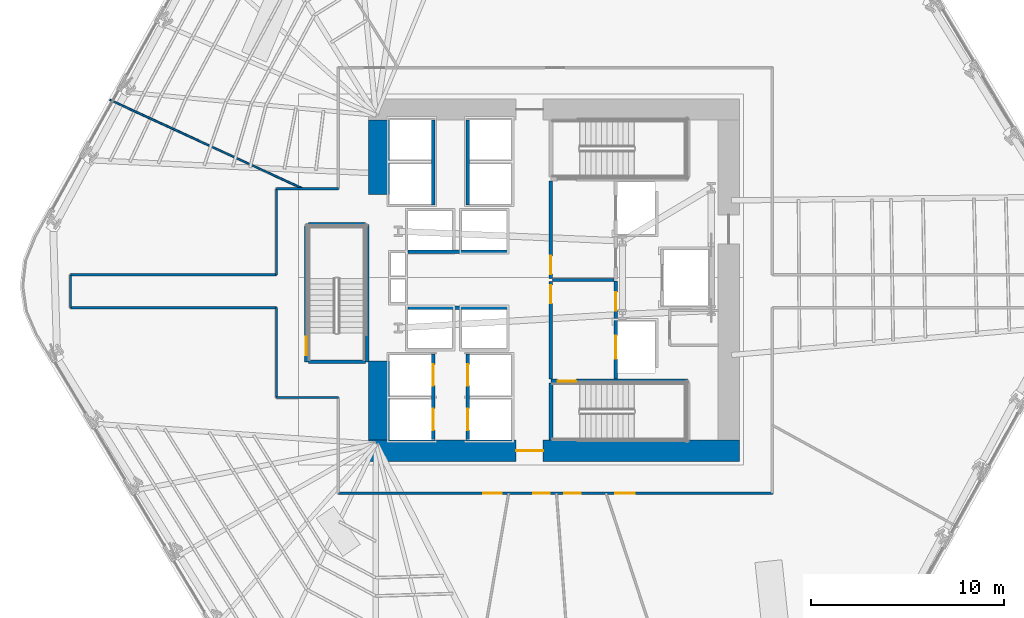
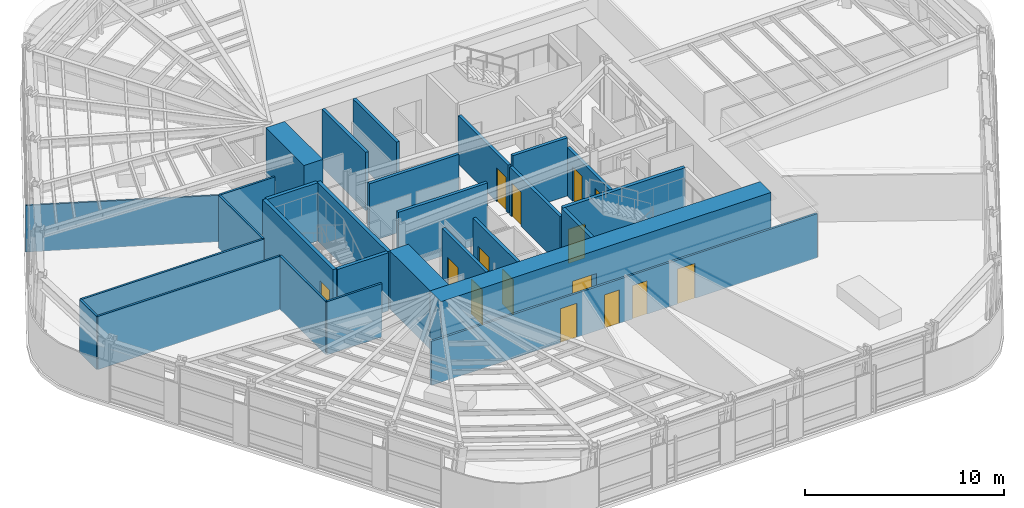
# One storey, part 8 of 15: 28 walls, 15 doors, 15 openings.
"""IFC4 building model written with IfcOpenShell, lengths in metres."""

from ifc_helpers import new_model, si_unit, direction, frame, frame_2d, origin, place, context, subcontext, project, spatial, rectangle, extrude, material, layer, layer_set, type_object, element, fill, save


model = new_model("IFC4")

# Units and contexts
model_context = context("Model", 3, precision=1e-05, world=origin(), true_north=direction((0.0, 1.0)))
body_context = subcontext(model_context, "Body", "Model", "MODEL_VIEW")
ifc_project = project(units=[si_unit("LENGTHUNIT", "METRE"), si_unit("AREAUNIT", "SQUARE_METRE"), si_unit("VOLUMEUNIT", "CUBIC_METRE"), si_unit("PLANEANGLEUNIT", "RADIAN"), si_unit("MASSUNIT", "GRAM", prefix="KILO")], contexts=[model_context])

# Site, building, storey
site_placement = place(None, origin())
site = spatial("IfcSite", under=ifc_project, at=site_placement, CompositionType="ELEMENT")
building_placement = place(site_placement, origin())
building = spatial("IfcBuilding", under=site, at=building_placement, Name="Valkerne Bourse Tower", CompositionType="ELEMENT")
storey_placement = place(building_placement, frame((0.0, 0.0, 27.800048828125)))
storey = spatial("IfcBuildingStorey", under=building, at=storey_placement, Name="L06", CompositionType="ELEMENT", Elevation=27.800048828125)

# Wall, opening, door
ifc_material_1 = material(Name="Concrete C70/85", Category="concrete")
ifc_layer_1 = layer(ifc_material_1, 1.10009765625)
ifc_layer_set_1 = layer_set([ifc_layer_1], Name="Concrete C70/85")
wall_type_1 = type_object("IfcWallType", Name="W-CORE-1100", PredefinedType="SHEAR", material=ifc_layer_set_1)
wall_1_placement = place(storey_placement, frame((37.199951171875, 18.050048828125, 0.0), z_axis=(0.0, 0.0, 1.0), x_axis=(1.0, 0.0, 0.0)))
wall_1 = element("IfcWall", 1, at=wall_1_placement, inside=storey, type_object=wall_type_1, Name="L06 Core Shear Wall SOUTH", PredefinedType="SHEAR", context=body_context, shape_type="SweptSolid", body=[
    extrude(rectangle(XDim=19.199951171875, YDim=1.10009765625, at=frame_2d((9.60009765625, 0.0))), origin(), (0.0, 0.0, 1.0), 3.579833984375),
])
opening_1_placement = place(wall_1_placement, frame((7.64990234375, 0.0, 0.0)))
opening_1 = element("IfcOpeningElement", 2, at=opening_1_placement, cuts=wall_1, Name="Opening D-PL-1400", PredefinedType="OPENING", context=body_context, shape_type="SweptSolid", body=[
    extrude(rectangle(XDim=1.39990234375, YDim=2.14990234375, at=frame_2d((0.699951171875, 1.074951171875))), frame((0.0, 0.56005859375, 0.0), z_axis=(0.0, -1.0, 0.0), x_axis=(1.0, 0.0, 0.0)), (0.0, 0.0, 1.0), 1.1201171875),
])
ifc_material_2 = material(Name="Galvanised Painted Steel", Category="steel")
door_type_1 = type_object("IfcDoorType", Name="DR-PLT-1400", OperationType="DOUBLE_DOOR_SINGLE_SWING", PredefinedType="DOOR", material=ifc_material_2)
door_1_placement = place(opening_1_placement, origin())
door_1 = element("IfcDoor", 3, at=door_1_placement, inside=storey, type_object=door_type_1, Name="L06 South Passenger Lift Hall Fire Door", OperationType="DOUBLE_DOOR_SINGLE_SWING", OverallHeight=2.14990234375, OverallWidth=1.39990234375, PredefinedType="DOOR", context=body_context, shape_type="SweptSolid", body=[
    extrude(rectangle(XDim=1.39990234375, YDim=2.14990234375, at=frame_2d((0.699951171875, 1.074951171875))), frame((0.0, 0.02490234375, 0.0), z_axis=(0.0, -1.0, 0.0), x_axis=(1.0, 0.0, 0.0)), (0.0, 0.0, 1.0), 0.050048828125),
])
fill(opening_1, door_1)

# Walls
wall_2_placement = place(storey_placement, frame((37.75, 18.60009765625, 0.0), z_axis=(0.0, 0.0, 1.0), x_axis=(0.0, 1.0, 0.0)))
element("IfcWall", 4, at=wall_2_placement, inside=storey, type_object=wall_type_1, Name="L06 Core Shear Wall WEST-S", PredefinedType="SHEAR", context=body_context, shape_type="SweptSolid", body=[
    extrude(rectangle(XDim=4.099853515625, YDim=1.10009765625, at=frame_2d((2.0498046875, 0.0))), origin(), (0.0, 0.0, 1.0), 3.579833984375),
])
wall_3_placement = place(storey_placement, frame((37.75, 31.300048828125, 0.0), z_axis=(0.0, 0.0, 1.0), x_axis=(0.0, 1.0, 0.0)))
element("IfcWall", 5, at=wall_3_placement, inside=storey, type_object=wall_type_1, Name="L06 Core Shear Wall WEST-N", PredefinedType="SHEAR", context=body_context, shape_type="SweptSolid", body=[
    extrude(rectangle(XDim=3.849853515625, YDim=1.10009765625, at=frame_2d((1.9248046875, 0.0))), origin(), (0.0, 0.0, 1.0), 3.579833984375),
])

# Wall, openings, doors
ifc_material_3 = material(Name="Gypsum Board Steel-Stud Partition", Category="steel")
ifc_layer_2 = layer(ifc_material_3, 0.117919921875)
ifc_layer_set_2 = layer_set([ifc_layer_2], Name="Gypsum Board Steel-Stud Partition")
wall_type_2 = type_object("IfcWallType", Name="W-CORR-140", PredefinedType="PARTITIONING", material=ifc_layer_set_2)
wall_4_placement = place(storey_placement, frame((58.10009765625, 15.85009765625, 0.0), z_axis=(0.0, 0.0, 1.0), x_axis=(-1.0, 0.0, 0.0)))
wall_4 = element("IfcWall", 6, at=wall_4_placement, inside=storey, type_object=wall_type_2, Name="L06 Corridor Enclosure Wall", PredefinedType="PARTITIONING", context=body_context, shape_type="SweptSolid", body=[
    extrude(rectangle(XDim=22.4501953125, YDim=0.117919921875, at=frame_2d((11.22509765625, 0.0))), origin(), (0.0, 0.0, 1.0), 2.71142578125),
])
opening_2_placement = place(wall_4_placement, frame((11.514892578125, 0.0, 0.0)))
opening_2 = element("IfcOpeningElement", 7, at=opening_2_placement, cuts=wall_4, Name="Opening D-WC-900", PredefinedType="OPENING", context=body_context, shape_type="SweptSolid", body=[
    extrude(rectangle(XDim=0.860107421875, YDim=2.050048828125, at=frame_2d((0.43017578125, 1.02490234375))), frame((0.0, 0.06884765625, 0.0), z_axis=(0.0, -1.0, 0.0), x_axis=(1.0, 0.0, 0.0)), (0.0, 0.0, 1.0), 0.137939453125),
])
opening_3_placement = place(wall_4_placement, frame((9.89501953125, 0.0, 0.0)))
opening_3 = element("IfcOpeningElement", 8, at=opening_3_placement, cuts=wall_4, Name="Opening D-WC-900", PredefinedType="OPENING", context=body_context, shape_type="SweptSolid", body=[
    extrude(rectangle(XDim=0.860107421875, YDim=2.050048828125, at=frame_2d((0.43017578125, 1.02490234375))), frame((0.0, 0.06884765625, 0.0), z_axis=(0.0, -1.0, 0.0), x_axis=(1.0, 0.0, 0.0)), (0.0, 0.0, 1.0), 0.137939453125),
])
opening_4_placement = place(wall_4_placement, frame((7.125, 0.0, 0.0)))
opening_4 = element("IfcOpeningElement", 9, at=opening_4_placement, cuts=wall_4, Name="Opening D-MG-1000", PredefinedType="OPENING", context=body_context, shape_type="SweptSolid", body=[
    extrude(rectangle(XDim=1.0, YDim=2.14990234375, at=frame_2d((0.5, 1.074951171875))), frame((0.0, 0.06884765625, 0.0), z_axis=(0.0, -1.0, 0.0), x_axis=(1.0, 0.0, 0.0)), (0.0, 0.0, 1.0), 0.137939453125),
])
opening_5_placement = place(wall_4_placement, frame((13.989990234375, 0.0, 0.0)))
opening_5 = element("IfcOpeningElement", 10, at=opening_5_placement, cuts=wall_4, Name="Opening D-OF-950", PredefinedType="OPENING", context=body_context, shape_type="SweptSolid", body=[
    extrude(rectangle(XDim=0.949951171875, YDim=2.10009765625, at=frame_2d((0.47509765625, 1.050048828125))), frame((0.0, 0.06884765625, 0.0), z_axis=(0.0, -1.0, 0.0), x_axis=(1.0, 0.0, 0.0)), (0.0, 0.0, 1.0), 0.137939453125),
])
ifc_material_4 = material(Name="Laminated Tempered Safety Glass", Category="glass")
door_type_2 = type_object("IfcDoorType", Name="DR-MTG-1000", OperationType="NOTDEFINED", PredefinedType="DOOR", material=ifc_material_4)
door_2_placement = place(opening_4_placement, origin())
door_2 = element("IfcDoor", 11, at=door_2_placement, inside=storey, type_object=door_type_2, Name="L06 L06 Client Strategy Conference Room 4 Door", OperationType="SINGLE_SWING_RIGHT", OverallHeight=2.14990234375, OverallWidth=1.0, PredefinedType="DOOR", context=body_context, shape_type="SweptSolid", body=[
    extrude(rectangle(XDim=1.0, YDim=2.14990234375, at=frame_2d((0.5, 1.074951171875))), frame((0.0, 0.02490234375, 0.0), z_axis=(0.0, -1.0, 0.0), x_axis=(1.0, 0.0, 0.0)), (0.0, 0.0, 1.0), 0.050048828125),
])
fill(opening_4, door_2)
ifc_material_5 = material(Name="Architectural White Oak Timber", Category="wood")
door_type_3 = type_object("IfcDoorType", Name="DR-OFF-950", OperationType="NOTDEFINED", PredefinedType="DOOR", material=ifc_material_5)
door_3_placement = place(opening_5_placement, origin())
door_3 = element("IfcDoor", 12, at=door_3_placement, inside=storey, type_object=door_type_3, Name="L06 L06 Member Collaboration Club Salon 5 Door", OperationType="SINGLE_SWING_RIGHT", OverallHeight=2.10009765625, OverallWidth=0.949951171875, PredefinedType="DOOR", context=body_context, shape_type="SweptSolid", body=[
    extrude(rectangle(XDim=0.949951171875, YDim=2.10009765625, at=frame_2d((0.47509765625, 1.050048828125))), frame((0.0, 0.02490234375, 0.0), z_axis=(0.0, -1.0, 0.0), x_axis=(1.0, 0.0, 0.0)), (0.0, 0.0, 1.0), 0.050048828125),
])
fill(opening_5, door_3)
door_type_4 = type_object("IfcDoorType", Name="DR-WC-900", OperationType="NOTDEFINED", PredefinedType="DOOR", material=ifc_material_5)
door_4_placement = place(opening_2_placement, origin())
door_4 = element("IfcDoor", 13, at=door_4_placement, inside=storey, type_object=door_type_4, Name="L06 L06 Men Bathroom WC 1 Door", OperationType="SINGLE_SWING_LEFT", OverallHeight=2.050048828125, OverallWidth=0.860107421875, PredefinedType="DOOR", context=body_context, shape_type="SweptSolid", body=[
    extrude(rectangle(XDim=0.860107421875, YDim=2.050048828125, at=frame_2d((0.43017578125, 1.02490234375))), frame((0.0, 0.02490234375, 0.0), z_axis=(0.0, -1.0, 0.0), x_axis=(1.0, 0.0, 0.0)), (0.0, 0.0, 1.0), 0.050048828125),
])
fill(opening_2, door_4)
door_5_placement = place(opening_3_placement, origin())
door_5 = element("IfcDoor", 14, at=door_5_placement, inside=storey, type_object=door_type_4, Name="L06 L06 Women Restroom & Shower WC 2 Door", OperationType="SINGLE_SWING_RIGHT", OverallHeight=2.050048828125, OverallWidth=0.860107421875, PredefinedType="DOOR", context=body_context, shape_type="SweptSolid", body=[
    extrude(rectangle(XDim=0.860107421875, YDim=2.050048828125, at=frame_2d((0.43017578125, 1.02490234375))), frame((0.0, 0.02490234375, 0.0), z_axis=(0.0, -1.0, 0.0), x_axis=(1.0, 0.0, 0.0)), (0.0, 0.0, 1.0), 0.050048828125),
])
fill(opening_3, door_5)

# Walls
wall_5_placement = place(storey_placement, frame((35.64990234375, 20.800048828125, 0.0), z_axis=(0.0, 0.0, 1.0), x_axis=(-1.0, 0.0, 0.0)))
element("IfcWall", 15, at=wall_5_placement, inside=storey, type_object=wall_type_2, Name="L06 Corridor Enclosure Wall", PredefinedType="PARTITIONING", context=body_context, shape_type="SweptSolid", body=[
    extrude(rectangle(XDim=3.199951171875, YDim=0.117919921875, at=frame_2d((1.60009765625, 0.0))), origin(), (0.0, 0.0, 1.0), 3.280029296875),
])
wall_6_placement = place(storey_placement, frame((32.449951171875, 20.800048828125, 0.0), z_axis=(0.0, 0.0, 1.0), x_axis=(0.0, 1.0, 0.0)))
element("IfcWall", 16, at=wall_6_placement, inside=storey, type_object=wall_type_2, Name="L06 Corridor Enclosure Wall", PredefinedType="PARTITIONING", context=body_context, shape_type="SweptSolid", body=[
    extrude(rectangle(XDim=4.64990234375, YDim=0.117919921875, at=frame_2d((2.324951171875, 0.0))), origin(), (0.0, 0.0, 1.0), 3.280029296875),
])
wall_7_placement = place(storey_placement, frame((32.449951171875, 25.449951171875, 0.0), z_axis=(0.0, 0.0, 1.0), x_axis=(-1.0, 0.0, 0.0)))
element("IfcWall", 17, at=wall_7_placement, inside=storey, type_object=wall_type_2, Name="L06 Corridor Enclosure Wall", PredefinedType="PARTITIONING", context=body_context, shape_type="SweptSolid", body=[
    extrude(rectangle(XDim=10.64990234375, YDim=0.117919921875, at=frame_2d((5.324951171875, 0.0))), origin(), (0.0, 0.0, 1.0), 3.280029296875),
])
wall_8_placement = place(storey_placement, frame((21.800048828125, 25.449951171875, 0.0), z_axis=(0.0, 0.0, 1.0), x_axis=(0.0, 1.0, 0.0)))
element("IfcWall", 18, at=wall_8_placement, inside=storey, type_object=wall_type_2, Name="L06 Corridor Enclosure Wall", PredefinedType="PARTITIONING", context=body_context, shape_type="SweptSolid", body=[
    extrude(rectangle(XDim=1.699951171875, YDim=0.117919921875, at=frame_2d((0.85009765625, 0.0))), origin(), (0.0, 0.0, 1.0), 3.280029296875),
])
wall_9_placement = place(storey_placement, frame((21.800048828125, 27.14990234375, 0.0), z_axis=(0.0, 0.0, 1.0), x_axis=(1.0, 0.0, 0.0)))
element("IfcWall", 19, at=wall_9_placement, inside=storey, type_object=wall_type_2, Name="L06 Corridor Enclosure Wall", PredefinedType="PARTITIONING", context=body_context, shape_type="SweptSolid", body=[
    extrude(rectangle(XDim=10.64990234375, YDim=0.117919921875, at=frame_2d((5.324951171875, 0.0))), origin(), (0.0, 0.0, 1.0), 3.280029296875),
])
wall_10_placement = place(storey_placement, frame((32.449951171875, 27.14990234375, 0.0), z_axis=(0.0, 0.0, 1.0), x_axis=(0.0, 1.0, 0.0)))
element("IfcWall", 20, at=wall_10_placement, inside=storey, type_object=wall_type_2, Name="L06 Corridor Enclosure Wall", PredefinedType="PARTITIONING", context=body_context, shape_type="SweptSolid", body=[
    extrude(rectangle(XDim=4.4501953125, YDim=0.117919921875, at=frame_2d((2.22509765625, 0.0))), origin(), (0.0, 0.0, 1.0), 3.280029296875),
])
wall_11_placement = place(storey_placement, frame((32.449951171875, 31.60009765625, 0.0), z_axis=(0.0, 0.0, 1.0), x_axis=(1.0, 0.0, 0.0)))
element("IfcWall", 21, at=wall_11_placement, inside=storey, type_object=wall_type_2, Name="L06 Corridor Enclosure Wall", PredefinedType="PARTITIONING", context=body_context, shape_type="SweptSolid", body=[
    extrude(rectangle(XDim=3.199951171875, YDim=0.117919921875, at=frame_2d((1.60009765625, 0.0))), origin(), (0.0, 0.0, 1.0), 3.280029296875),
])
ifc_material_6 = material(Name="Gypsum Fire-Rated Shaftwall", Category="gypsum")
ifc_layer_3 = layer(ifc_material_6, 0.179931640625)
ifc_layer_set_3 = layer_set([ifc_layer_3], Name="Gypsum Fire-Rated Shaftwall")
wall_type_3 = type_object("IfcWallType", Name="W-FSAE-180", PredefinedType="PARTITIONING", material=ifc_layer_set_3)
wall_12_placement = place(storey_placement, frame((46.739990234375, 26.8798828125, 0.0), z_axis=(0.0, 0.0, 1.0), x_axis=(1.0, 0.0, 0.0)))
element("IfcWall", 22, at=wall_12_placement, inside=storey, type_object=wall_type_3, Name="L06 FSAE-1/2 Lobby Dividing Fire Wall", PredefinedType="PARTITIONING", context=body_context, shape_type="SweptSolid", body=[
    extrude(rectangle(XDim=3.169921875, YDim=0.179931640625, at=frame_2d((1.5849609375, 0.0))), origin(), (0.0, 0.0, 1.0), 3.579833984375),
])

# Wall, opening, door
wall_13_placement = place(storey_placement, frame((46.64990234375, 21.75, 0.0), z_axis=(0.0, 0.0, 1.0), x_axis=(0.0, 1.0, 0.0)))
wall_13 = element("IfcWall", 23, at=wall_13_placement, inside=storey, type_object=wall_type_3, Name="L06 FSAE-1 Lobby West Fire Wall", PredefinedType="PARTITIONING", context=body_context, shape_type="SweptSolid", body=[
    extrude(rectangle(XDim=5.050048828125, YDim=0.179931640625, at=frame_2d((2.52490234375, 0.0))), origin(), (0.0, 0.0, 1.0), 2.957763671875),
])
opening_6_placement = place(wall_13_placement, frame((3.919921875, 0.0, 0.0)))
opening_6 = element("IfcOpeningElement", 24, at=opening_6_placement, cuts=wall_13, Name="Opening D-FS-950", PredefinedType="OPENING", context=body_context, shape_type="SweptSolid", body=[
    extrude(rectangle(XDim=0.949951171875, YDim=2.10009765625, at=frame_2d((0.47509765625, 1.050048828125))), frame((0.0, 0.099853515625, 0.0), z_axis=(0.0, -1.0, 0.0), x_axis=(1.0, 0.0, 0.0)), (0.0, 0.0, 1.0), 0.199951171875),
])
door_type_5 = type_object("IfcDoorType", Name="DR-FSAE-950", OperationType="NOTDEFINED", PredefinedType="DOOR", material=ifc_material_2)
door_6_placement = place(opening_6_placement, origin())
door_6 = element("IfcDoor", 25, at=door_6_placement, inside=storey, type_object=door_type_5, Name="L06 FSAE-1 Hall Link Fire Door", OperationType="SINGLE_SWING_LEFT", OverallHeight=2.10009765625, OverallWidth=0.949951171875, PredefinedType="DOOR", context=body_context, shape_type="SweptSolid", body=[
    extrude(rectangle(XDim=0.949951171875, YDim=2.10009765625, at=frame_2d((0.47509765625, 1.050048828125))), frame((0.0, 0.02490234375, 0.0), z_axis=(0.0, -1.0, 0.0), x_axis=(1.0, 0.0, 0.0)), (0.0, 0.0, 1.0), 0.050048828125),
])
fill(opening_6, door_6)

wall_14_placement = place(storey_placement, frame((46.64990234375, 26.9599609375, 0.0), z_axis=(0.0, 0.0, 1.0), x_axis=(0.0, 1.0, 0.0)))
wall_14 = element("IfcWall", 26, at=wall_14_placement, inside=storey, type_object=wall_type_3, Name="L06 FSAE-2 Lobby West Fire Wall", PredefinedType="PARTITIONING", context=body_context, shape_type="SweptSolid", body=[
    extrude(rectangle(XDim=5.0400390625, YDim=0.179931640625, at=frame_2d((2.52001953125, 0.0))), origin(), (0.0, 0.0, 1.0), 2.957763671875),
])
opening_7_placement = place(wall_14_placement, frame((0.219970703125, 0.0, 0.0)))
opening_7 = element("IfcOpeningElement", 27, at=opening_7_placement, cuts=wall_14, Name="Opening D-FS-950", PredefinedType="OPENING", context=body_context, shape_type="SweptSolid", body=[
    extrude(rectangle(XDim=0.949951171875, YDim=2.10009765625, at=frame_2d((0.47509765625, 1.050048828125))), frame((0.0, 0.099853515625, 0.0), z_axis=(0.0, -1.0, 0.0), x_axis=(1.0, 0.0, 0.0)), (0.0, 0.0, 1.0), 0.199951171875),
])
door_7_placement = place(opening_7_placement, origin())
door_7 = element("IfcDoor", 28, at=door_7_placement, inside=storey, type_object=door_type_5, Name="L06 FSAE-2 Hall Link Fire Door", OperationType="SINGLE_SWING_LEFT", OverallHeight=2.10009765625, OverallWidth=0.949951171875, PredefinedType="DOOR", context=body_context, shape_type="SweptSolid", body=[
    extrude(rectangle(XDim=0.949951171875, YDim=2.10009765625, at=frame_2d((0.47509765625, 1.050048828125))), frame((0.0, 0.02490234375, 0.0), z_axis=(0.0, -1.0, 0.0), x_axis=(1.0, 0.0, 0.0)), (0.0, 0.0, 1.0), 0.050048828125),
])
fill(opening_7, door_7)

# Wall, openings, doors
wall_15_placement = place(storey_placement, frame((50.0, 21.75, 0.0), z_axis=(0.0, 0.0, 1.0), x_axis=(0.0, 1.0, 0.0)))
wall_15 = element("IfcWall", 29, at=wall_15_placement, inside=storey, type_object=wall_type_3, Name="L06 FSAE-1 Lobby & Shaft Front Wall", PredefinedType="PARTITIONING", context=body_context, shape_type="SweptSolid", body=[
    extrude(rectangle(XDim=5.090087890625, YDim=0.179931640625, at=frame_2d((2.544921875, 0.0))), origin(), (0.0, 0.0, 1.0), 2.957763671875),
])
opening_8_placement = place(wall_15_placement, frame((1.050048828125, 0.0, 0.0)))
opening_8 = element("IfcOpeningElement", 30, at=opening_8_placement, cuts=wall_15, Name="Opening LD-1200", PredefinedType="OPENING", context=body_context, shape_type="SweptSolid", body=[
    extrude(rectangle(XDim=1.199951171875, YDim=2.14990234375, at=frame_2d((0.60009765625, 1.074951171875))), frame((0.0, 0.099853515625, 0.0), z_axis=(0.0, -1.0, 0.0), x_axis=(1.0, 0.0, 0.0)), (0.0, 0.0, 1.0), 0.199951171875),
])
opening_9_placement = place(wall_15_placement, frame((3.550048828125, 0.0, 0.0)))
opening_9 = element("IfcOpeningElement", 31, at=opening_9_placement, cuts=wall_15, Name="Opening D-FS-950", PredefinedType="OPENING", context=body_context, shape_type="SweptSolid", body=[
    extrude(rectangle(XDim=0.949951171875, YDim=2.10009765625, at=frame_2d((0.47509765625, 1.050048828125))), frame((0.0, 0.099853515625, 0.0), z_axis=(0.0, -1.0, 0.0), x_axis=(1.0, 0.0, 0.0)), (0.0, 0.0, 1.0), 0.199951171875),
])
door_8_placement = place(opening_9_placement, origin())
door_8 = element("IfcDoor", 32, at=door_8_placement, inside=storey, type_object=door_type_5, Name="L06 FSAE-1 Lobby Corridor Fire Door", OperationType="SINGLE_SWING_LEFT", OverallHeight=2.10009765625, OverallWidth=0.949951171875, PredefinedType="DOOR", context=body_context, shape_type="SweptSolid", body=[
    extrude(rectangle(XDim=0.949951171875, YDim=2.10009765625, at=frame_2d((0.47509765625, 1.050048828125))), frame((0.0, 0.02490234375, 0.0), z_axis=(0.0, -1.0, 0.0), x_axis=(1.0, 0.0, 0.0)), (0.0, 0.0, 1.0), 0.050048828125),
])
fill(opening_9, door_8)
ifc_material_7 = material(Name="Stainless Steel AISI 316", Category="steel")
door_type_6 = type_object("IfcDoorType", Name="DR-LIFT-1200", OperationType="DOUBLE_DOOR_SLIDING", PredefinedType="DOOR", material=ifc_material_7)
door_9_placement = place(opening_8_placement, origin())
door_9 = element("IfcDoor", 33, at=door_9_placement, inside=storey, type_object=door_type_6, Name="L06 FSAE-1 Firefighting Lift Landing Door", OperationType="DOUBLE_DOOR_SLIDING", OverallHeight=2.14990234375, OverallWidth=1.199951171875, PredefinedType="DOOR", context=body_context, shape_type="SweptSolid", body=[
    extrude(rectangle(XDim=1.199951171875, YDim=2.14990234375, at=frame_2d((0.60009765625, 1.074951171875))), frame((0.0, 0.02490234375, 0.0), z_axis=(0.0, -1.0, 0.0), x_axis=(1.0, 0.0, 0.0)), (0.0, 0.0, 1.0), 0.050048828125),
])
fill(opening_8, door_9)

ifc_material_8 = material(Name="CMU Blockwork Masonry 200mm", Category="masonry")
ifc_layer_4 = layer(ifc_material_8, 0.179931640625)
ifc_layer_set_4 = layer_set([ifc_layer_4], Name="CMU Blockwork Masonry 200mm")
wall_type_4 = type_object("IfcWallType", Name="W-LFT-180", PredefinedType="SOLIDWALL", material=ifc_layer_set_4)
wall_16_placement = place(storey_placement, frame((40.550048828125, 18.6201171875, 0.0), z_axis=(0.0, 0.0, 1.0), x_axis=(0.0, 1.0, 0.0)))
wall_16 = element("IfcWall", 34, at=wall_16_placement, inside=storey, type_object=wall_type_4, Name="L06 Low-Zone West Cars Front Wall", PredefinedType="SOLIDWALL", context=body_context, shape_type="SweptSolid", body=[
    extrude(rectangle(XDim=4.429931640625, YDim=0.179931640625, at=frame_2d((2.21484375, 0.0))), origin(), (0.0, 0.0, 1.0), 3.579833984375),
])
opening_10_placement = place(wall_16_placement, frame((0.5, 0.0, 0.0)))
opening_10 = element("IfcOpeningElement", 35, at=opening_10_placement, cuts=wall_16, Name="Opening LD-1100", PredefinedType="OPENING", context=body_context, shape_type="SweptSolid", body=[
    extrude(rectangle(XDim=1.10009765625, YDim=2.14990234375, at=frame_2d((0.550048828125, 1.074951171875))), frame((0.0, 0.099853515625, 0.0), z_axis=(0.0, -1.0, 0.0), x_axis=(1.0, 0.0, 0.0)), (0.0, 0.0, 1.0), 0.199951171875),
])
opening_11_placement = place(wall_16_placement, frame((2.800048828125, 0.0, 0.0)))
opening_11 = element("IfcOpeningElement", 36, at=opening_11_placement, cuts=wall_16, Name="Opening LD-1100", PredefinedType="OPENING", context=body_context, shape_type="SweptSolid", body=[
    extrude(rectangle(XDim=1.10009765625, YDim=2.14990234375, at=frame_2d((0.550048828125, 1.074951171875))), frame((0.0, 0.099853515625, 0.0), z_axis=(0.0, -1.0, 0.0), x_axis=(1.0, 0.0, 0.0)), (0.0, 0.0, 1.0), 0.199951171875),
])
door_type_7 = type_object("IfcDoorType", Name="DR-LIFT-1100", OperationType="DOUBLE_DOOR_SLIDING", PredefinedType="DOOR", material=ifc_material_7)
door_10_placement = place(opening_10_placement, origin())
door_10 = element("IfcDoor", 37, at=door_10_placement, inside=storey, type_object=door_type_7, Name="L06 Passenger Lift PL-L1 Sliding Landing Door", OperationType="DOUBLE_DOOR_SLIDING", OverallHeight=2.14990234375, OverallWidth=1.10009765625, PredefinedType="DOOR", context=body_context, shape_type="SweptSolid", body=[
    extrude(rectangle(XDim=1.10009765625, YDim=2.14990234375, at=frame_2d((0.550048828125, 1.074951171875))), frame((0.0, 0.02490234375, 0.0), z_axis=(0.0, -1.0, 0.0), x_axis=(1.0, 0.0, 0.0)), (0.0, 0.0, 1.0), 0.050048828125),
])
fill(opening_10, door_10)
door_11_placement = place(opening_11_placement, origin())
door_11 = element("IfcDoor", 38, at=door_11_placement, inside=storey, type_object=door_type_7, Name="L06 Passenger Lift PL-L2 Sliding Landing Door", OperationType="DOUBLE_DOOR_SLIDING", OverallHeight=2.14990234375, OverallWidth=1.10009765625, PredefinedType="DOOR", context=body_context, shape_type="SweptSolid", body=[
    extrude(rectangle(XDim=1.10009765625, YDim=2.14990234375, at=frame_2d((0.550048828125, 1.074951171875))), frame((0.0, 0.02490234375, 0.0), z_axis=(0.0, -1.0, 0.0), x_axis=(1.0, 0.0, 0.0)), (0.0, 0.0, 1.0), 0.050048828125),
])
fill(opening_11, door_11)

wall_17_placement = place(storey_placement, frame((42.35009765625, 18.6201171875, 0.0), z_axis=(0.0, 0.0, 1.0), x_axis=(0.0, 1.0, 0.0)))
wall_17 = element("IfcWall", 39, at=wall_17_placement, inside=storey, type_object=wall_type_4, Name="L06 Low-Zone East Cars Front Wall", PredefinedType="SOLIDWALL", context=body_context, shape_type="SweptSolid", body=[
    extrude(rectangle(XDim=4.429931640625, YDim=0.179931640625, at=frame_2d((2.21484375, 0.0))), origin(), (0.0, 0.0, 1.0), 3.579833984375),
])
opening_12_placement = place(wall_17_placement, frame((0.5, 0.0, 0.0)))
opening_12 = element("IfcOpeningElement", 40, at=opening_12_placement, cuts=wall_17, Name="Opening LD-1100", PredefinedType="OPENING", context=body_context, shape_type="SweptSolid", body=[
    extrude(rectangle(XDim=1.10009765625, YDim=2.14990234375, at=frame_2d((0.550048828125, 1.074951171875))), frame((0.0, 0.099853515625, 0.0), z_axis=(0.0, -1.0, 0.0), x_axis=(1.0, 0.0, 0.0)), (0.0, 0.0, 1.0), 0.199951171875),
])
opening_13_placement = place(wall_17_placement, frame((2.800048828125, 0.0, 0.0)))
opening_13 = element("IfcOpeningElement", 41, at=opening_13_placement, cuts=wall_17, Name="Opening LD-1100", PredefinedType="OPENING", context=body_context, shape_type="SweptSolid", body=[
    extrude(rectangle(XDim=1.10009765625, YDim=2.14990234375, at=frame_2d((0.550048828125, 1.074951171875))), frame((0.0, 0.099853515625, 0.0), z_axis=(0.0, -1.0, 0.0), x_axis=(1.0, 0.0, 0.0)), (0.0, 0.0, 1.0), 0.199951171875),
])
door_12_placement = place(opening_12_placement, origin())
door_12 = element("IfcDoor", 42, at=door_12_placement, inside=storey, type_object=door_type_7, Name="L06 Passenger Lift PL-L3 Sliding Landing Door", OperationType="DOUBLE_DOOR_SLIDING", OverallHeight=2.14990234375, OverallWidth=1.10009765625, PredefinedType="DOOR", context=body_context, shape_type="SweptSolid", body=[
    extrude(rectangle(XDim=1.10009765625, YDim=2.14990234375, at=frame_2d((0.550048828125, 1.074951171875))), frame((0.0, 0.02490234375, 0.0), z_axis=(0.0, -1.0, 0.0), x_axis=(1.0, 0.0, 0.0)), (0.0, 0.0, 1.0), 0.050048828125),
])
fill(opening_12, door_12)
door_13_placement = place(opening_13_placement, origin())
door_13 = element("IfcDoor", 43, at=door_13_placement, inside=storey, type_object=door_type_7, Name="L06 Passenger Lift PL-L4 Sliding Landing Door", OperationType="DOUBLE_DOOR_SLIDING", OverallHeight=2.14990234375, OverallWidth=1.10009765625, PredefinedType="DOOR", context=body_context, shape_type="SweptSolid", body=[
    extrude(rectangle(XDim=1.10009765625, YDim=2.14990234375, at=frame_2d((0.550048828125, 1.074951171875))), frame((0.0, 0.02490234375, 0.0), z_axis=(0.0, -1.0, 0.0), x_axis=(1.0, 0.0, 0.0)), (0.0, 0.0, 1.0), 0.050048828125),
])
fill(opening_13, door_13)

# Walls
for number, where, z_axis, x_axis, name in (
    (44, (40.550048828125, 30.75, 0.0), (0.0, 0.0, 1.0), (0.0, 1.0, 0.0), "L06 Mid-Zone West Cars Front Wall"),
    (45, (42.35009765625, 30.75, 0.0), (0.0, 0.0, 1.0), (0.0, 1.0, 0.0), "L06 Mid-Zone East Cars Front Wall"),
):
    element("IfcWall", number, at=place(storey_placement, frame(where, z_axis=z_axis, x_axis=x_axis)), inside=storey, type_object=wall_type_4, Name=name, PredefinedType="SOLIDWALL", context=body_context, shape_type="SweptSolid", body=[
        extrude(rectangle(XDim=4.39990234375, YDim=0.179931640625, at=frame_2d((2.199951171875, 0.0))), origin(), (0.0, 0.0, 1.0), 3.579833984375),
    ])
for number, where, z_axis, x_axis, name in (
    (46, (39.25, 25.449951171875, 0.0), (0.0, 0.0, 1.0), (1.0, 0.0, 0.0), "L06 High-Zone South Cars Front Wall"),
    (47, (39.25, 28.35009765625, 0.0), (0.0, 0.0, 1.0), (1.0, 0.0, 0.0), "L06 High-Zone North Cars Front Wall"),
):
    element("IfcWall", number, at=place(storey_placement, frame(where, z_axis=z_axis, x_axis=x_axis)), inside=storey, type_object=wall_type_4, Name=name, PredefinedType="SOLIDWALL", context=body_context, shape_type="SweptSolid", body=[
        extrude(rectangle(XDim=5.199951171875, YDim=0.179931640625, at=frame_2d((2.60009765625, 0.0))), origin(), (0.0, 0.0, 1.0), 3.579833984375),
    ])
ifc_layer_5 = layer(ifc_material_3, 0.092041015625)
ifc_layer_set_5 = layer_set([ifc_layer_5], Name="Gypsum Board Steel-Stud Partition")
wall_type_5 = type_object("IfcWallType", Name="W-PART-115", PredefinedType="PARTITIONING", material=ifc_layer_set_5)
wall_18_placement = place(storey_placement, frame((33.81201171875, 31.60498046875, 0.0), z_axis=(0.0, 0.0, 1.0), x_axis=(-0.908318868519, 0.418278415762, 0.0)))
element("IfcWall", 48, at=wall_18_placement, inside=storey, type_object=wall_type_5, Name="L06 Suite Partition P06", PredefinedType="PARTITIONING", context=body_context, shape_type="SweptSolid", body=[
    extrude(rectangle(XDim=10.98193359375, YDim=0.092041015625, at=frame_2d((5.490966796875, 0.0))), origin(), (0.0, 0.0, 1.0), 2.86376953125),
])

# Wall, opening, door
ifc_material_9 = material(Name="Concrete C40/50", Category="concrete")
ifc_layer_6 = layer(ifc_material_9, 0.199951171875)
ifc_layer_set_6 = layer_set([ifc_layer_6], Name="Concrete C40/50")
wall_type_6 = type_object("IfcWallType", Name="W-SHF-200", PredefinedType="SHEAR", material=ifc_layer_set_6)
wall_19_placement = place(storey_placement, frame((46.64990234375, 21.64990234375, 0.0), z_axis=(0.0, 0.0, 1.0), x_axis=(1.0, 0.0, 0.0)))
wall_19 = element("IfcWall", 49, at=wall_19_placement, inside=storey, type_object=wall_type_6, Name="L06 Exit Stair ST-1 Structural Shaft Wall North", PredefinedType="SHEAR", context=body_context, shape_type="SweptSolid", body=[
    extrude(rectangle(XDim=7.10009765625, YDim=0.199951171875, at=frame_2d((3.550048828125, 0.0))), origin(), (0.0, 0.0, 1.0), 3.579833984375),
])
opening_14_placement = place(wall_19_placement, frame((0.35009765625, 0.0, 0.0)))
opening_14 = element("IfcOpeningElement", 50, at=opening_14_placement, cuts=wall_19, Name="Opening D-ST-950", PredefinedType="OPENING", context=body_context, shape_type="SweptSolid", body=[
    extrude(rectangle(XDim=0.949951171875, YDim=2.10009765625, at=frame_2d((0.47509765625, 1.050048828125))), frame((0.0, 0.10986328125, 0.0), z_axis=(0.0, -1.0, 0.0), x_axis=(1.0, 0.0, 0.0)), (0.0, 0.0, 1.0), 0.219970703125),
])
door_type_8 = type_object("IfcDoorType", Name="DR-STAIR-950", OperationType="NOTDEFINED", PredefinedType="DOOR", material=ifc_material_2)
door_14_placement = place(opening_14_placement, origin())
door_14 = element("IfcDoor", 51, at=door_14_placement, inside=storey, type_object=door_type_8, Name="L06 Exit Stair ST-1 Door", OperationType="SINGLE_SWING_RIGHT", OverallHeight=2.10009765625, OverallWidth=0.949951171875, PredefinedType="DOOR", context=body_context, shape_type="SweptSolid", body=[
    extrude(rectangle(XDim=0.949951171875, YDim=2.10009765625, at=frame_2d((0.47509765625, 1.050048828125))), frame((0.0, 0.02490234375, 0.0), z_axis=(0.0, -1.0, 0.0), x_axis=(1.0, 0.0, 0.0)), (0.0, 0.0, 1.0), 0.050048828125),
])
fill(opening_14, door_14)

# Wall
wall_20_placement = place(storey_placement, frame((46.64990234375, 18.60009765625, 0.0), z_axis=(0.0, 0.0, 1.0), x_axis=(0.0, 1.0, 0.0)))
element("IfcWall", 52, at=wall_20_placement, inside=storey, type_object=wall_type_6, Name="L06 Exit Stair ST-1 Structural Shaft Wall West", PredefinedType="SHEAR", context=body_context, shape_type="SweptSolid", body=[
    extrude(rectangle(XDim=2.949951171875, YDim=0.199951171875, at=frame_2d((1.47509765625, 0.0))), origin(), (0.0, 0.0, 1.0), 3.579833984375),
])

# Wall, opening, door
wall_21_placement = place(storey_placement, frame((34.0, 22.64990234375, 0.0), z_axis=(0.0, 0.0, 1.0), x_axis=(0.0, 1.0, 0.0)))
wall_21 = element("IfcWall", 53, at=wall_21_placement, inside=storey, type_object=wall_type_6, Name="L06 Exit Stair ST-3 Structural Shaft Wall West", PredefinedType="SHEAR", context=body_context, shape_type="SweptSolid", body=[
    extrude(rectangle(XDim=7.10009765625, YDim=0.199951171875, at=frame_2d((3.550048828125, 0.0))), origin(), (0.0, 0.0, 1.0), 3.579833984375),
])
opening_15_placement = place(wall_21_placement, frame((0.35009765625, 0.0, 0.0)))
opening_15 = element("IfcOpeningElement", 54, at=opening_15_placement, cuts=wall_21, Name="Opening D-ST-950", PredefinedType="OPENING", context=body_context, shape_type="SweptSolid", body=[
    extrude(rectangle(XDim=0.949951171875, YDim=2.10009765625, at=frame_2d((0.47509765625, 1.050048828125))), frame((0.0, 0.10986328125, 0.0), z_axis=(0.0, -1.0, 0.0), x_axis=(1.0, 0.0, 0.0)), (0.0, 0.0, 1.0), 0.219970703125),
])
door_15_placement = place(opening_15_placement, origin())
door_15 = element("IfcDoor", 55, at=door_15_placement, inside=storey, type_object=door_type_8, Name="L06 Exit Stair ST-3 Door", OperationType="SINGLE_SWING_LEFT", OverallHeight=2.10009765625, OverallWidth=0.949951171875, PredefinedType="DOOR", context=body_context, shape_type="SweptSolid", body=[
    extrude(rectangle(XDim=0.949951171875, YDim=2.10009765625, at=frame_2d((0.47509765625, 1.050048828125))), frame((0.0, 0.02490234375, 0.0), z_axis=(0.0, -1.0, 0.0), x_axis=(1.0, 0.0, 0.0)), (0.0, 0.0, 1.0), 0.050048828125),
])
fill(opening_15, door_15)

# Walls
for number, where, z_axis, x_axis, name in (
    (56, (34.10009765625, 22.64990234375, 0.0), (0.0, 0.0, 1.0), (1.0, 0.0, 0.0), "L06 Exit Stair ST-3 Structural Shaft Wall South"),
    (57, (34.10009765625, 29.75, 0.0), (0.0, 0.0, 1.0), (1.0, 0.0, 0.0), "L06 Exit Stair ST-3 Structural Shaft Wall North"),
):
    element("IfcWall", number, at=place(storey_placement, frame(where, z_axis=z_axis, x_axis=x_axis)), inside=storey, type_object=wall_type_6, Name=name, PredefinedType="SHEAR", context=body_context, shape_type="SweptSolid", body=[
        extrude(rectangle(XDim=2.949951171875, YDim=0.199951171875, at=frame_2d((1.47509765625, 0.0))), origin(), (0.0, 0.0, 1.0), 3.579833984375),
    ])
wall_22_placement = place(storey_placement, frame((37.14990234375, 22.64990234375, 0.0), z_axis=(0.0, 0.0, 1.0), x_axis=(0.0, 1.0, 0.0)))
element("IfcWall", 58, at=wall_22_placement, inside=storey, type_object=wall_type_6, Name="L06 Exit Stair ST-3 Structural Shaft Wall East", PredefinedType="SHEAR", context=body_context, shape_type="SweptSolid", body=[
    extrude(rectangle(XDim=7.10009765625, YDim=0.199951171875, at=frame_2d((3.550048828125, 0.0))), origin(), (0.0, 0.0, 1.0), 3.579833984375),
])

save(model, "model.ifc")
